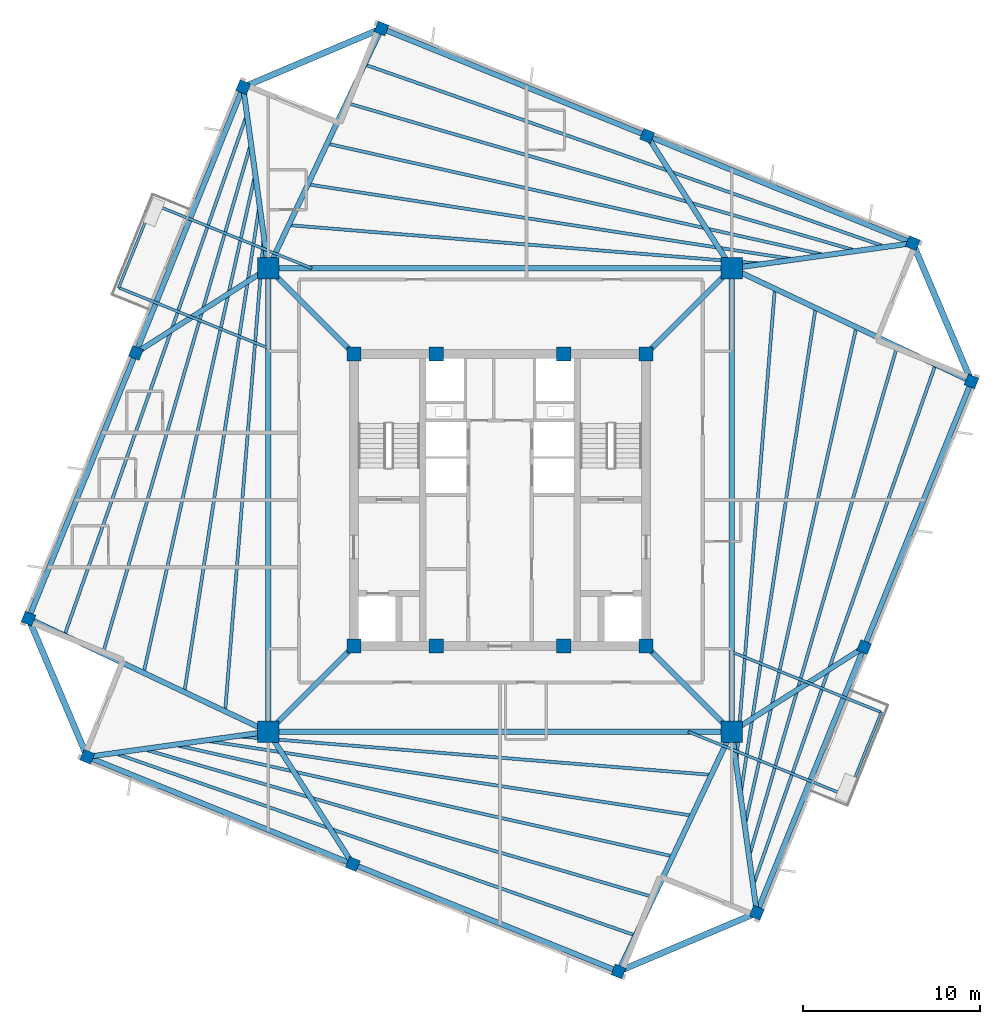
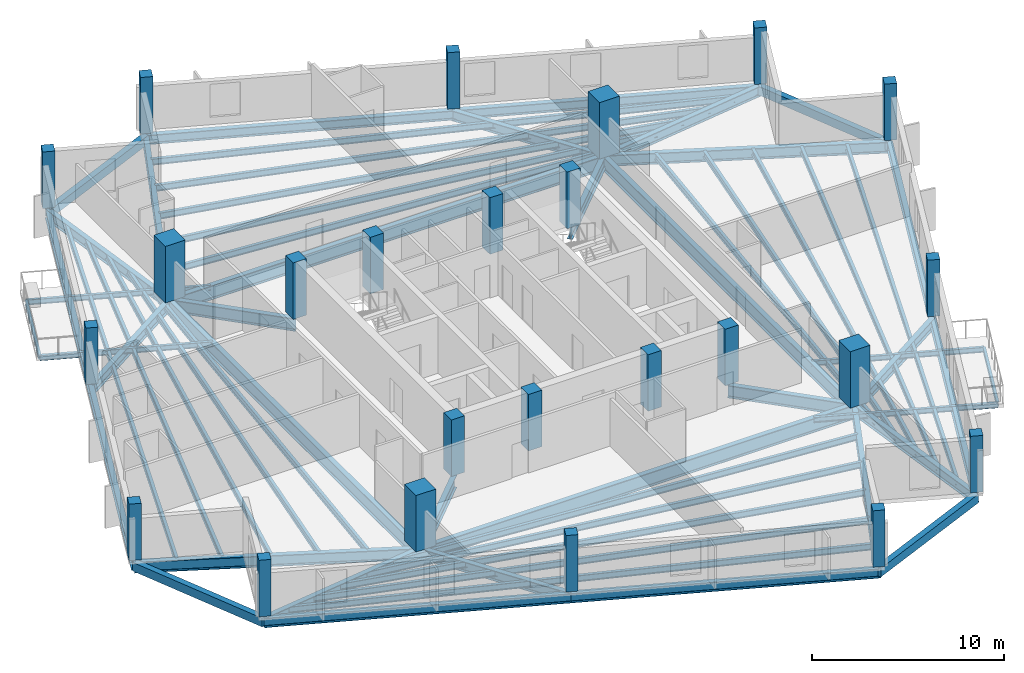
# One storey, part 1 of 8: 58 beams, 24 columns.
"""IFC4 building model written with IfcOpenShell, lengths in metres."""

import ifcopenshell
import ifcopenshell.guid

model = None  # the IFC model being written
_history = None  # IfcOwnerHistory: only IFC2X3 demands one
_inside = {}  # id of a spatial element -> (the spatial element, [elements in it])
_under = {}  # id of a project, library or spatial element -> (it, [spatial elements below it])
_declared = {}  # id of a project -> (the project, [libraries it declares])
_typed = {}  # id of a type object -> (the type object, [elements of that type])
_made_of = {}  # id of a material, layer set ... -> (it, [elements and type objects made of it])


def new_model(schema):
    """Start an empty IFC model of exactly this schema.

    Asked for "IFC4X3", IfcOpenShell would pick the latest addendum, in which some entities
    have other attributes; the version numbers below select the first issue.
    IFC2X3 requires an IfcOwnerHistory on every rooted entity: one is made here for all.
    """
    global model, _history
    if schema == "IFC4X3":
        model = ifcopenshell.file(schema_version=(4, 3, 0, 0))
    else:
        model = ifcopenshell.file(schema=schema)
    _inside.clear()
    _under.clear()
    _declared.clear()
    _typed.clear()
    _made_of.clear()
    _history = None
    if model.schema == "IFC2X3":
        org = make("IfcOrganization", Name="unknown")
        user = make(
            "IfcPersonAndOrganization",
            ThePerson=make("IfcPerson", FamilyName="unknown"),
            TheOrganization=org,
        )
        app = make(
            "IfcApplication",
            ApplicationDeveloper=org,
            Version="unknown",
            ApplicationFullName="unknown",
            ApplicationIdentifier="unknown",
        )
        _history = make(
            "IfcOwnerHistory",
            OwningUser=user,
            OwningApplication=app,
            ChangeAction="ADDED",
            CreationDate=0,
        )
    return model


def make(cls, **values):
    """One entity of the class cls with the attributes given. An attribute that is None is left unset."""
    return model.create_entity(
        cls, **{name: value for name, value in values.items() if value is not None}
    )


def rooted(cls, **values):
    """An entity with a GlobalId (a new one), such as an element, a storey or a relation."""
    return make(cls, GlobalId=ifcopenshell.guid.new(), OwnerHistory=_history, **values)


def si_unit(unit_type, name, prefix=None):
    """IfcSIUnit, for example si_unit("LENGTHUNIT", "METRE", prefix="MILLI")."""
    return make("IfcSIUnit", UnitType=unit_type, Prefix=prefix, Name=name)


def assignment(units):
    """IfcUnitAssignment: the units of a project."""
    return None if units is None else make("IfcUnitAssignment", Units=units)


def point(xyz):
    """IfcCartesianPoint."""
    return None if xyz is None else make("IfcCartesianPoint", Coordinates=xyz)


def direction(xyz):
    """IfcDirection."""
    return None if xyz is None else make("IfcDirection", DirectionRatios=xyz)


def frame(location, z_axis=None, x_axis=None):
    """IfcAxis2Placement3D, a coordinate frame: its origin and axes. An axis left out is left unset."""
    return make(
        "IfcAxis2Placement3D",
        Location=point(location),
        Axis=direction(z_axis),
        RefDirection=direction(x_axis),
    )


def frame_2d(location, x_axis=None):
    """IfcAxis2Placement2D, a coordinate frame in the plane: its origin and x axis."""
    return make(
        "IfcAxis2Placement2D", Location=point(location), RefDirection=direction(x_axis)
    )


def origin():
    """The frame at (0, 0, 0) with its axes left unset."""
    return frame((0.0, 0.0, 0.0))


def origin_2d():
    """The frame at (0, 0) in the plane with its x axis left unset."""
    return frame_2d((0.0, 0.0))


def place(relative_to, where):
    """IfcLocalPlacement: puts the frame where relative to a parent placement (None: the world)."""
    return make(
        "IfcLocalPlacement", PlacementRelTo=relative_to, RelativePlacement=where
    )


def context(
    kind, dimensions, precision=None, world=None, true_north=None, identifier=None
):
    """IfcGeometricRepresentationContext, for example the 3D "Model" context."""
    return make(
        "IfcGeometricRepresentationContext",
        ContextIdentifier=identifier,
        ContextType=kind,
        CoordinateSpaceDimension=dimensions,
        Precision=precision,
        WorldCoordinateSystem=world,
        TrueNorth=true_north,
    )


def subcontext(parent, identifier, kind, view, scale=None):
    """IfcGeometricRepresentationSubContext, for example "Body" below "Model"."""
    return make(
        "IfcGeometricRepresentationSubContext",
        ContextIdentifier=identifier,
        ContextType=kind,
        ParentContext=parent,
        TargetScale=scale,
        TargetView=view,
    )


def project(units=None, contexts=None):
    """IfcProject with its units and contexts."""
    return rooted(
        "IfcProject",
        Name="project",
        RepresentationContexts=contexts,
        UnitsInContext=assignment(units),
    )


def spatial(cls, under=None, at=None, **own):
    """A site, building, storey or space (cls), placed at a placement, below another one or the project."""
    s = rooted(cls, ObjectPlacement=at, **own)
    if under is not None:
        _under.setdefault(under.id(), (under, []))[1].append(s)
    return s


def profile(cls, at=None, kind="AREA", **sizes):
    """A parametric profile (cls). Its sizes go by their IFC names, for example OverallWidth=200.0."""
    return make(cls, ProfileType=kind, Position=at, **sizes)


def rectangle(**sizes):
    """IfcRectangleProfileDef."""
    return profile("IfcRectangleProfileDef", **sizes)


def i_section(**sizes):
    """IfcIShapeProfileDef."""
    return profile("IfcIShapeProfileDef", **sizes)


def extrude(swept, where, along, depth):
    """IfcExtrudedAreaSolid: the profile swept, set in the frame where, extruded along a direction by depth."""
    return make(
        "IfcExtrudedAreaSolid",
        SweptArea=swept,
        Position=where,
        ExtrudedDirection=direction(along),
        Depth=depth,
    )


def shape(context_of_items, identifier, shape_type, items):
    """IfcShapeRepresentation: the items that make up one representation, for example the "Body"."""
    return make(
        "IfcShapeRepresentation",
        ContextOfItems=context_of_items,
        RepresentationIdentifier=identifier,
        RepresentationType=shape_type,
        Items=items,
    )


def source(mapping_origin, context_of_items, identifier, shape_type, items):
    """IfcRepresentationMap: a shape defined once, which mapped items show again and again."""
    return make(
        "IfcRepresentationMap",
        MappingOrigin=mapping_origin,
        MappedRepresentation=shape(context_of_items, identifier, shape_type, items),
    )


def transform(
    local_origin,
    x_axis=None,
    y_axis=None,
    z_axis=None,
    scale=None,
    scale2=None,
    scale3=None,
    uniform=True,
):
    """IfcCartesianTransformationOperator3D, or its non-uniform kind. x_axis, y_axis, z_axis: its Axis1, 2, 3."""
    if uniform:
        return make(
            "IfcCartesianTransformationOperator3D",
            Axis1=direction(x_axis),
            Axis2=direction(y_axis),
            LocalOrigin=point(local_origin),
            Scale=scale,
            Axis3=direction(z_axis),
        )
    return make(
        "IfcCartesianTransformationOperator3DnonUniform",
        Axis1=direction(x_axis),
        Axis2=direction(y_axis),
        LocalOrigin=point(local_origin),
        Scale=scale,
        Axis3=direction(z_axis),
        Scale2=scale2,
        Scale3=scale3,
    )


def mapped(mapping_source, mapping_target):
    """IfcMappedItem: shows the shape of a source again, moved by a transform."""
    return make(
        "IfcMappedItem", MappingSource=mapping_source, MappingTarget=mapping_target
    )


def material(Name=None, Category=None):
    """IfcMaterial."""
    return make("IfcMaterial", Name=Name, Category=Category)


def material_profile(
    of_material, cross_section, Name=None, Category=None, Priority=None
):
    """IfcMaterialProfile: a cross section and its material."""
    return make(
        "IfcMaterialProfile",
        Name=Name,
        Material=of_material,
        Profile=cross_section,
        Priority=Priority,
        Category=Category,
    )


def profile_set(profiles, Name=None, composite=None):
    """IfcMaterialProfileSet."""
    return make(
        "IfcMaterialProfileSet",
        Name=Name,
        MaterialProfiles=profiles,
        CompositeProfile=composite,
    )


def made_of(thing, what):
    """Note that an element or type object is made of a material, layer set ...; save() writes the relation."""
    if what is not None:
        _made_of.setdefault(what.id(), (what, []))[1].append(thing)
    return thing


def type_object(cls, material=None, **own):
    """A type object (cls), such as IfcWallType, which elements share."""
    return made_of(rooted(cls, **own), material)


def element(
    cls,
    number,
    at=None,
    inside=None,
    cuts=None,
    type_object=None,
    material=None,
    context=None,
    identifier="Body",
    shape_type=None,
    held_by="IfcProductDefinitionShape",
    body=None,
    shapes=None,
    **own,
):
    """One element of the class cls, such as IfcWall. Its Tag is "e" and its number.

    at: its placement. inside: the storey or other place that contains it. cuts: it is an
    opening in that element (IfcRelVoidsElement). A single representation is given by context,
    identifier, shape_type and body (its items); several are given by shapes. held_by: the class
    of the entity that holds the representations. save() writes the other relations.
    """
    e = rooted(cls, Tag="e%d" % number, ObjectPlacement=at, **own)
    if body is not None:
        shapes = [shape(context, identifier, shape_type, body)]
    if shapes is not None:
        e.Representation = make(held_by, Representations=shapes)
    if inside is not None:
        _inside.setdefault(inside.id(), (inside, []))[1].append(e)
    if cuts is not None:
        rooted(
            "IfcRelVoidsElement", RelatingBuildingElement=cuts, RelatedOpeningElement=e
        )
    if type_object is not None:
        _typed.setdefault(type_object.id(), (type_object, []))[1].append(e)
    return made_of(e, material)


def aggregate(whole, parts):
    """IfcRelAggregates: a whole, such as a stair, and the parts it consists of."""
    return rooted("IfcRelAggregates", RelatingObject=whole, RelatedObjects=parts)


def save(model, path):
    """Write the relations noted so far, then the file.

    IfcRelAggregates (storeys below a building ...), IfcRelContainedInSpatialStructure (elements
    in a storey), IfcRelDefinesByType, IfcRelAssociatesMaterial and IfcRelDeclares: one each for
    every whole, place, type object, material and project.
    """
    for whole, parts in _under.values():
        aggregate(whole, parts)
    for where, things in _inside.values():
        rooted(
            "IfcRelContainedInSpatialStructure",
            RelatedElements=things,
            RelatingStructure=where,
        )
    for kind, things in _typed.values():
        rooted("IfcRelDefinesByType", RelatedObjects=things, RelatingType=kind)
    for what, things in _made_of.values():
        rooted("IfcRelAssociatesMaterial", RelatedObjects=things, RelatingMaterial=what)
    for by, libraries in _declared.values():
        rooted("IfcRelDeclares", RelatingContext=by, RelatedDefinitions=libraries)
    model.write(path)


model = new_model("IFC4")

# Units and contexts
model_context = context("Model", 3, precision=1e-05, world=origin(), true_north=direction((0.0, 1.0)))
body_context = subcontext(model_context, "Body", "Model", "MODEL_VIEW")
ifc_project = project(units=[si_unit("LENGTHUNIT", "METRE"), si_unit("AREAUNIT", "SQUARE_METRE"), si_unit("VOLUMEUNIT", "CUBIC_METRE"), si_unit("PLANEANGLEUNIT", "RADIAN"), si_unit("MASSUNIT", "GRAM", prefix="KILO"), si_unit("THERMODYNAMICTEMPERATUREUNIT", "KELVIN")], contexts=[model_context])

# Site, building, storey
site_placement = place(None, origin())
site = spatial("IfcSite", under=ifc_project, at=site_placement, CompositionType="ELEMENT")
building_placement = place(site_placement, origin())
building = spatial("IfcBuilding", under=site, at=building_placement, Name="Kosmvard Interchange Tower", CompositionType="ELEMENT")
storey_placement = place(building_placement, frame((0.0, 0.0, 294.0)))
storey = spatial("IfcBuildingStorey", under=building, at=storey_placement, Name="L72", CompositionType="ELEMENT", Elevation=294.0)

# Columns
ifc_material_1 = material(Name="Concrete C50/60", Category="concrete")
ifc_material_profile_1 = material_profile(ifc_material_1, rectangle(XDim=0.800048828125, YDim=0.800048828125, at=origin_2d()), Name="CP 800x800")
ifc_profile_set_1 = profile_set([ifc_material_profile_1], Name="Concrete C50/60")
column_type_1 = type_object("IfcColumnType", Name="Core Boundary Pilaster 800x800 C50/60", PredefinedType="PILASTER", material=ifc_profile_set_1)
shared_shape_1 = source(origin(), body_context, "Body", "SweptSolid", [
    extrude(rectangle(XDim=0.800048828125, YDim=0.800048828125, at=origin_2d()), origin(), (0.0, 0.0, 1.0), 3.60009765625),
])
for number, where, z_axis, x_axis, name in (
    (1, (-8.25, -8.25, 0.0), (0.0, 0.0, 1.0), (1.0, 0.0, 0.0), "L72 Core Pilaster CP1"),
    (2, (8.25, -8.25, 0.0), (0.0, 0.0, 1.0), (1.0, 0.0, 0.0), "L72 Core Pilaster CP2"),
    (3, (8.25, 8.25, 0.0), (0.0, 0.0, 1.0), (1.0, 0.0, 0.0), "L72 Core Pilaster CP3"),
    (4, (-8.25, 8.25, 0.0), (0.0, 0.0, 1.0), (1.0, 0.0, 0.0), "L72 Core Pilaster CP4"),
    (5, (-3.60009765625, -8.25, 0.0), (0.0, 0.0, 1.0), (1.0, 0.0, 0.0), "L72 Core Pilaster CP5"),
    (6, (3.60009765625, -8.25, 0.0), (0.0, 0.0, 1.0), (1.0, 0.0, 0.0), "L72 Core Pilaster CP6"),
    (7, (-3.60009765625, 8.25, 0.0), (0.0, 0.0, 1.0), (1.0, 0.0, 0.0), "L72 Core Pilaster CP7"),
    (8, (3.60009765625, 8.25, 0.0), (0.0, 0.0, 1.0), (1.0, 0.0, 0.0), "L72 Core Pilaster CP8"),
):
    element("IfcColumn", number, at=place(storey_placement, frame(where, z_axis=z_axis, x_axis=x_axis)), inside=storey, type_object=column_type_1, Name=name, PredefinedType="PILASTER", context=body_context, shape_type="MappedRepresentation", body=[
        mapped(shared_shape_1, transform((0.0, 0.0, 0.0), scale=1.0)),
    ])
ifc_material_profile_2 = material_profile(ifc_material_1, rectangle(XDim=1.199951171875, YDim=1.199951171875, at=origin_2d()), Name="MC 1200x1200")
ifc_profile_set_2 = profile_set([ifc_material_profile_2], Name="Concrete C50/60")
column_type_2 = type_object("IfcColumnType", Name="Composite Mega-Column 1200x1200 C50/60", PredefinedType="COLUMN", material=ifc_profile_set_2)
shared_shape_2 = source(origin(), body_context, "Body", "SweptSolid", [
    extrude(rectangle(XDim=1.199951171875, YDim=1.199951171875, at=origin_2d()), origin(), (0.0, 0.0, 1.0), 3.60009765625),
])
for number, where, z_axis, x_axis, name in (
    (9, (-13.0810546875, -13.0810546875, 0.0), (0.0, 0.0, 1.0), (1.0, 0.0, 0.0), "L72 Corner Mega-Column MC1"),
    (10, (13.0810546875, -13.0810546875, 0.0), (0.0, 0.0, 1.0), (1.0, 0.0, 0.0), "L72 Corner Mega-Column MC2"),
    (11, (13.0810546875, 13.0810546875, 0.0), (0.0, 0.0, 1.0), (1.0, 0.0, 0.0), "L72 Corner Mega-Column MC3"),
    (12, (-13.0810546875, 13.0810546875, 0.0), (0.0, 0.0, 1.0), (1.0, 0.0, 0.0), "L72 Corner Mega-Column MC4"),
):
    element("IfcColumn", number, at=place(storey_placement, frame(where, z_axis=z_axis, x_axis=x_axis)), inside=storey, type_object=column_type_2, Name=name, PredefinedType="COLUMN", context=body_context, shape_type="MappedRepresentation", body=[
        mapped(shared_shape_2, transform((0.0, 0.0, 0.0), scale=1.0)),
    ])
ifc_material_profile_3 = material_profile(ifc_material_1, rectangle(XDim=0.64990234375, YDim=0.64990234375, at=origin_2d()), Name="TC 650x650")
ifc_profile_set_3 = profile_set([ifc_material_profile_3], Name="Concrete C50/60")
column_type_3 = type_object("IfcColumnType", Name="Zone 5 Perimeter Pier Column 650x650 C50/60", PredefinedType="COLUMN", material=ifc_profile_set_3)
shared_shape_3 = source(origin(), body_context, "Body", "SweptSolid", [
    extrude(rectangle(XDim=0.64990234375, YDim=0.64990234375, at=origin_2d()), origin(), (0.0, 0.0, 1.0), 3.60009765625),
])
for number, where, z_axis, x_axis, name in (
    (13, (14.5009765625, -23.30419921875, 0.0), (0.0, 0.0, 1.0), (0.374606593416, 0.927183854567, 0.0), "L72 Perimeter Pier Column TC-S1"),
    (14, (20.560302734375, -8.306884765625, 0.0), (0.0, 0.0, 1.0), (0.374606593416, 0.927183854567, 0.0), "L72 Perimeter Pier Column TC-S2"),
    (15, (26.61962890625, 6.690185546875, 0.0), (0.0, 0.0, 1.0), (0.374606593416, 0.927183854567, 0.0), "L72 Perimeter Pier Column TC-S3"),
    (16, (23.30419921875, 14.5009765625, 0.0), (0.0, 0.0, 1.0), (0.374606593416, 0.927183854567, 0.0), "L72 Perimeter Pier Column TC-E1"),
    (17, (8.306884765625, 20.560302734375, 0.0), (0.0, 0.0, 1.0), (0.374606593416, 0.927183854567, 0.0), "L72 Perimeter Pier Column TC-E2"),
    (18, (-6.690185546875, 26.61962890625, 0.0), (0.0, 0.0, 1.0), (0.374606593416, 0.927183854567, 0.0), "L72 Perimeter Pier Column TC-E3"),
    (19, (-14.5009765625, 23.30419921875, 0.0), (0.0, 0.0, 1.0), (0.374606593416, 0.927183854567, 0.0), "L72 Perimeter Pier Column TC-N1"),
    (20, (-20.560302734375, 8.306884765625, 0.0), (0.0, 0.0, 1.0), (0.374606593416, 0.927183854567, 0.0), "L72 Perimeter Pier Column TC-N2"),
    (21, (-26.61962890625, -6.690185546875, 0.0), (0.0, 0.0, 1.0), (0.374606593416, 0.927183854567, 0.0), "L72 Perimeter Pier Column TC-N3"),
    (22, (-23.30419921875, -14.5009765625, 0.0), (0.0, 0.0, 1.0), (0.374606593416, 0.927183854567, 0.0), "L72 Perimeter Pier Column TC-W1"),
    (23, (-8.306884765625, -20.560302734375, 0.0), (0.0, 0.0, 1.0), (0.374606593416, 0.927183854567, 0.0), "L72 Perimeter Pier Column TC-W2"),
    (24, (6.690185546875, -26.61962890625, 0.0), (0.0, 0.0, 1.0), (0.374606593416, 0.927183854567, 0.0), "L72 Perimeter Pier Column TC-W3"),
):
    element("IfcColumn", number, at=place(storey_placement, frame(where, z_axis=z_axis, x_axis=x_axis)), inside=storey, type_object=column_type_3, Name=name, PredefinedType="COLUMN", context=body_context, shape_type="MappedRepresentation", body=[
        mapped(shared_shape_3, transform((0.0, 0.0, 0.0), scale=1.0)),
    ])

# Beams
ifc_material_2 = material(Name="Steel S355", Category="steel")
ifc_material_profile_4 = material_profile(ifc_material_2, i_section(OverallWidth=0.14990234375, OverallDepth=0.300048828125, WebThickness=0.007080078125, FlangeThickness=0.0107421875, FilletRadius=0.014892578125, at=origin_2d()), Name="IPE 300")
ifc_profile_set_4 = profile_set([ifc_material_profile_4], Name="Steel S355")
beam_type_1 = type_object("IfcBeamType", Name="Balcony Edge Header Joist IPE 300 S355", PredefinedType="JOIST", material=ifc_profile_set_4)
shared_shape_4 = source(origin(), body_context, "Body", "SweptSolid", [
    extrude(i_section(OverallWidth=0.14990234375, OverallDepth=0.300048828125, WebThickness=0.007080078125, FlangeThickness=0.0107421875, FilletRadius=0.014892578125, at=origin_2d()), origin(), (0.0, 0.0, 1.0), 5.099853515625),
])
for number, where, z_axis, x_axis, name in (
    (25, (-19.61669921875, 16.715576171875, -0.39990234375), (-0.374599188035, -0.9271868465, 0.0), (0.9271868465, -0.374599188035, 0.0), "BM-L72-BJH1"),
    (26, (19.61669921875, -16.715576171875, -0.39990234375), (0.374599188035, 0.9271868465, 0.0), (-0.9271868465, 0.374599188035, 0.0), "BM-L72-BJH2"),
):
    element("IfcBeam", number, at=place(storey_placement, frame(where, z_axis=z_axis, x_axis=x_axis)), inside=storey, type_object=beam_type_1, Name=name, PredefinedType="JOIST", context=body_context, shape_type="MappedRepresentation", body=[
        mapped(shared_shape_4, transform((0.0, 0.0, 0.0), scale=1.0)),
    ])
ifc_material_profile_5 = material_profile(ifc_material_2, i_section(OverallWidth=0.300048828125, OverallDepth=0.800048828125, WebThickness=0.017578125, FlangeThickness=0.032958984375, FilletRadius=0.027099609375, at=origin_2d()), Name="HEB 800")
ifc_profile_set_5 = profile_set([ifc_material_profile_5], Name="Steel S355")
beam_type_2 = type_object("IfcBeamType", Name="Primary Mega-Frame Girder HEB 800 S355", PredefinedType="BEAM", material=ifc_profile_set_5)
shared_shape_5 = source(origin(), body_context, "Body", "SweptSolid", [
    extrude(i_section(OverallWidth=0.300048828125, OverallDepth=0.800048828125, WebThickness=0.017578125, FlangeThickness=0.032958984375, FilletRadius=0.027099609375, at=origin_2d()), origin(), (0.0, 0.0, 1.0), 6.83203125),
])
for number, where, z_axis, x_axis, name in (
    (27, (-8.25, -8.25, -0.64990234375), (-0.707106781187, -0.707106781187, 0.0), (0.707106781187, -0.707106781187, 0.0), "L72 Radial Mega-Frame Girder 1"),
    (28, (8.25, -8.25, -0.64990234375), (0.707106781187, -0.707106781187, 0.0), (0.707106781187, 0.707106781187, 0.0), "L72 Radial Mega-Frame Girder 2"),
    (29, (8.25, 8.25, -0.64990234375), (0.707106781187, 0.707106781187, 0.0), (-0.707106781187, 0.707106781187, 0.0), "L72 Radial Mega-Frame Girder 3"),
    (30, (-8.25, 8.25, -0.64990234375), (-0.707106781187, 0.707106781187, 0.0), (-0.707106781187, -0.707106781187, 0.0), "L72 Radial Mega-Frame Girder 4"),
):
    element("IfcBeam", number, at=place(storey_placement, frame(where, z_axis=z_axis, x_axis=x_axis)), inside=storey, type_object=beam_type_2, Name=name, PredefinedType="BEAM", context=body_context, shape_type="MappedRepresentation", body=[
        mapped(shared_shape_5, transform((0.0, 0.0, 0.0), scale=1.0)),
    ])
ifc_material_profile_6 = material_profile(ifc_material_2, i_section(OverallWidth=0.300048828125, OverallDepth=0.89990234375, WebThickness=0.0185546875, FlangeThickness=0.034912109375, FilletRadius=0.030029296875, at=origin_2d()), Name="HEB 900")
ifc_profile_set_6 = profile_set([ifc_material_profile_6], Name="Steel S355")
beam_type_3 = type_object("IfcBeamType", Name="Mega-Column Ring Girder HEB 900 S355", PredefinedType="BEAM", material=ifc_profile_set_6)
shared_shape_6 = source(origin(), body_context, "Body", "SweptSolid", [
    extrude(i_section(OverallWidth=0.300048828125, OverallDepth=0.89990234375, WebThickness=0.0185546875, FlangeThickness=0.034912109375, FilletRadius=0.030029296875, at=origin_2d()), origin(), (0.0, 0.0, 1.0), 26.162109375),
])
for number, where, z_axis, x_axis, name in (
    (31, (-13.0810546875, -13.0810546875, -0.699951171875), (1.0, 0.0, 0.0), (0.0, 1.0, 0.0), "L72 Mega-Column Ring Girder 1"),
    (32, (13.0810546875, -13.0810546875, -0.699951171875), (0.0, 1.0, 0.0), (-1.0, 0.0, 0.0), "L72 Mega-Column Ring Girder 2"),
    (33, (13.0810546875, 13.0810546875, -0.699951171875), (-1.0, 0.0, 0.0), (0.0, -1.0, 0.0), "L72 Mega-Column Ring Girder 3"),
    (34, (-13.0810546875, 13.0810546875, -0.699951171875), (0.0, -1.0, 0.0), (1.0, 0.0, 0.0), "L72 Mega-Column Ring Girder 4"),
):
    element("IfcBeam", number, at=place(storey_placement, frame(where, z_axis=z_axis, x_axis=x_axis)), inside=storey, type_object=beam_type_3, Name=name, PredefinedType="BEAM", context=body_context, shape_type="MappedRepresentation", body=[
        mapped(shared_shape_6, transform((0.0, 0.0, 0.0), scale=1.0)),
    ])
ifc_material_profile_7 = material_profile(ifc_material_2, i_section(OverallWidth=0.300048828125, OverallDepth=0.60009765625, WebThickness=0.015380859375, FlangeThickness=0.030029296875, FilletRadius=0.027099609375, at=origin_2d()), Name="HEB 600")
ifc_profile_set_7 = profile_set([ifc_material_profile_7], Name="Steel S355")
beam_type_4 = type_object("IfcBeamType", Name="Perimeter Tie Girder HEB 600 S355", PredefinedType="BEAM", material=ifc_profile_set_7)
shared_shape_7 = source(origin(), body_context, "Body", "SweptSolid", [
    extrude(i_section(OverallWidth=0.300048828125, OverallDepth=0.60009765625, WebThickness=0.015380859375, FlangeThickness=0.030029296875, FilletRadius=0.027099609375, at=origin_2d()), origin(), (0.0, 0.0, 1.0), 16.175048828125),
])
for number, where, z_axis, x_axis, name in (
    (35, (14.5009765625, -23.30419921875, -0.550048828125), (0.374607540279, 0.927183472009, 0.0), (-0.927183472009, 0.374607540279, 0.0), "BM-L72-PR01"),
    (36, (23.30419921875, 14.5009765625, -0.550048828125), (-0.927183472009, 0.374607540279, 0.0), (-0.374607540279, -0.927183472009, 0.0), "BM-L72-PR04"),
    (37, (-14.5009765625, 23.30419921875, -0.550048828125), (-0.374607540279, -0.927183472009, 0.0), (0.927183472009, -0.374607540279, 0.0), "BM-L72-PR07"),
    (38, (-23.30419921875, -14.5009765625, -0.550048828125), (0.927183472009, -0.374607540279, 0.0), (0.374607540279, 0.927183472009, 0.0), "BM-L72-PR10"),
):
    element("IfcBeam", number, at=place(storey_placement, frame(where, z_axis=z_axis, x_axis=x_axis)), inside=storey, type_object=beam_type_4, Name=name, PredefinedType="BEAM", context=body_context, shape_type="MappedRepresentation", body=[
        mapped(shared_shape_7, transform((0.0, 0.0, 0.0), scale=1.0)),
    ])
ifc_material_profile_8 = material_profile(ifc_material_2, i_section(OverallWidth=0.300048828125, OverallDepth=0.64990234375, WebThickness=0.01611328125, FlangeThickness=0.031005859375, FilletRadius=0.027099609375, at=origin_2d()), Name="HEB 650")
ifc_profile_set_8 = profile_set([ifc_material_profile_8], Name="Steel S355")
beam_type_5 = type_object("IfcBeamType", Name="Primary Floor Girder HEB 650 S355", PredefinedType="BEAM", material=ifc_profile_set_8)
shared_shape_8 = source(origin(), body_context, "Body", "SweptSolid", [
    extrude(i_section(OverallWidth=0.300048828125, OverallDepth=0.64990234375, WebThickness=0.01611328125, FlangeThickness=0.031005859375, FilletRadius=0.027099609375, at=origin_2d()), origin(), (0.0, 0.0, 1.0), 10.3212890625),
])
for number, where, z_axis, x_axis, name in (
    (39, (13.0810546875, -13.0810546875, -0.574951171875), (0.137572239014, -0.990491735984, 0.0), (0.990491735984, 0.137572239014, 0.0), "BM-L72-RD01"),
    (40, (13.0810546875, 13.0810546875, -0.574951171875), (0.990491735984, 0.137572239014, 0.0), (-0.137572239014, 0.990491735984, 0.0), "BM-L72-RD04"),
    (41, (-13.0810546875, 13.0810546875, -0.574951171875), (-0.137572239014, 0.990491735984, 0.0), (-0.990491735984, -0.137572239014, 0.0), "BM-L72-RD07"),
    (42, (-13.0810546875, -13.0810546875, -0.574951171875), (-0.990491735984, -0.137572239014, 0.0), (0.137572239014, -0.990491735984, 0.0), "BM-L72-RD10"),
):
    element("IfcBeam", number, at=place(storey_placement, frame(where, z_axis=z_axis, x_axis=x_axis)), inside=storey, type_object=beam_type_5, Name=name, PredefinedType="BEAM", context=body_context, shape_type="MappedRepresentation", body=[
        mapped(shared_shape_8, transform((0.0, 0.0, 0.0), scale=1.0)),
    ])
shared_shape_9 = source(origin(), body_context, "Body", "SweptSolid", [
    extrude(i_section(OverallWidth=0.300048828125, OverallDepth=0.60009765625, WebThickness=0.015380859375, FlangeThickness=0.030029296875, FilletRadius=0.027099609375, at=origin_2d()), origin(), (0.0, 0.0, 1.0), 16.1748046875),
])
for number, where, z_axis, x_axis, name in (
    (43, (20.560302734375, -8.306884765625, -0.550048828125), (0.374612782798, 0.92718135387, 0.0), (-0.92718135387, 0.374612782798, 0.0), "BM-L72-PR02"),
    (44, (8.306884765625, 20.560302734375, -0.550048828125), (-0.92718135387, 0.374612782798, 0.0), (-0.374612782798, -0.92718135387, 0.0), "BM-L72-PR05"),
    (45, (-20.560302734375, 8.306884765625, -0.550048828125), (-0.374612782798, -0.92718135387, 0.0), (0.92718135387, -0.374612782798, 0.0), "BM-L72-PR08"),
    (46, (-8.306884765625, -20.560302734375, -0.550048828125), (0.92718135387, -0.374612782798, 0.0), (0.374612782798, 0.92718135387, 0.0), "BM-L72-PR11"),
):
    element("IfcBeam", number, at=place(storey_placement, frame(where, z_axis=z_axis, x_axis=x_axis)), inside=storey, type_object=beam_type_4, Name=name, PredefinedType="BEAM", context=body_context, shape_type="MappedRepresentation", body=[
        mapped(shared_shape_9, transform((0.0, 0.0, 0.0), scale=1.0)),
    ])
shared_shape_10 = source(origin(), body_context, "Body", "SweptSolid", [
    extrude(i_section(OverallWidth=0.300048828125, OverallDepth=0.64990234375, WebThickness=0.01611328125, FlangeThickness=0.031005859375, FilletRadius=0.027099609375, at=origin_2d()), origin(), (0.0, 0.0, 1.0), 8.873046875),
])
for number, where, z_axis, x_axis, name in (
    (47, (13.0810546875, -13.0810546875, -0.574951171875), (0.842912916934, 0.538050011119, 0.0), (-0.538050011119, 0.842912916934, 0.0), "BM-L72-RD02"),
    (48, (13.0810546875, 13.0810546875, -0.574951171875), (-0.538050011119, 0.842912916934, 0.0), (-0.842912916934, -0.538050011119, 0.0), "BM-L72-RD05"),
    (49, (-13.0810546875, 13.0810546875, -0.574951171875), (-0.842912916934, -0.538050011119, 0.0), (0.538050011119, -0.842912916934, 0.0), "BM-L72-RD08"),
    (50, (-13.0810546875, -13.0810546875, -0.574951171875), (0.538050011119, -0.842912916934, 0.0), (0.842912916934, 0.538050011119, 0.0), "BM-L72-RD11"),
):
    element("IfcBeam", number, at=place(storey_placement, frame(where, z_axis=z_axis, x_axis=x_axis)), inside=storey, type_object=beam_type_5, Name=name, PredefinedType="BEAM", context=body_context, shape_type="MappedRepresentation", body=[
        mapped(shared_shape_10, transform((0.0, 0.0, 0.0), scale=1.0)),
    ])
ifc_material_3 = material(Name="Precast concrete C45/55", Category="concrete")
ifc_material_profile_9 = material_profile(ifc_material_3, rectangle(XDim=0.35009765625, YDim=0.550048828125, at=origin_2d()), Name="SL 350x550")
ifc_profile_set_9 = profile_set([ifc_material_profile_9], Name="Precast concrete C45/55")
beam_type_6 = type_object("IfcBeamType", Name="Precast Spandrel Lintel 350x550 C45/55", PredefinedType="LINTEL", material=ifc_profile_set_9)
shared_shape_11 = source(origin(), body_context, "Body", "SweptSolid", [
    extrude(rectangle(XDim=0.35009765625, YDim=0.550048828125, at=origin_2d()), origin(), (0.0, 0.0, 1.0), 8.4853515625),
])
for number, where, z_axis, x_axis, name in (
    (51, (26.61962890625, 6.690185546875, -0.52490234375), (-0.390725696857, 0.920507159025, 0.0), (-0.920507159025, -0.390725696857, 0.0), "BM-L72-SL1"),
    (52, (-6.690185546875, 26.61962890625, -0.52490234375), (-0.920507159025, -0.390725696857, 0.0), (0.390725696857, -0.920507159025, 0.0), "BM-L72-SL2"),
    (53, (-26.61962890625, -6.690185546875, -0.52490234375), (0.390725696857, -0.920507159025, 0.0), (0.920507159025, 0.390725696857, 0.0), "BM-L72-SL3"),
    (54, (6.690185546875, -26.61962890625, -0.52490234375), (0.920507159025, 0.390725696857, 0.0), (-0.390725696857, 0.920507159025, 0.0), "BM-L72-SL4"),
):
    element("IfcBeam", number, at=place(storey_placement, frame(where, z_axis=z_axis, x_axis=x_axis)), inside=storey, type_object=beam_type_6, Name=name, PredefinedType="LINTEL", context=body_context, shape_type="MappedRepresentation", body=[
        mapped(shared_shape_11, transform((0.0, 0.0, 0.0), scale=1.0)),
    ])
ifc_material_profile_10 = material_profile(ifc_material_2, i_section(OverallWidth=0.300048828125, OverallDepth=0.699951171875, WebThickness=0.01708984375, FlangeThickness=0.031982421875, FilletRadius=0.027099609375, at=origin_2d()), Name="HEB 700")
ifc_profile_set_10 = profile_set([ifc_material_profile_10], Name="Steel S355")
beam_type_7 = type_object("IfcBeamType", Name="Primary Floor Girder HEB 700 S355", PredefinedType="BEAM", material=ifc_profile_set_10)
shared_shape_12 = source(origin(), body_context, "Body", "SweptSolid", [
    extrude(i_section(OverallWidth=0.300048828125, OverallDepth=0.699951171875, WebThickness=0.01708984375, FlangeThickness=0.031982421875, FilletRadius=0.027099609375, at=origin_2d()), origin(), (0.0, 0.0, 1.0), 14.97119140625),
])
for number, where, z_axis, x_axis, name in (
    (55, (13.0810546875, 13.0810546875, -0.60009765625), (0.904309155001, -0.426878146761, 0.0), (0.426878146761, 0.904309155001, 0.0), "BM-L72-RD03"),
    (56, (-13.0810546875, 13.0810546875, -0.60009765625), (0.426878146761, 0.904309155001, 0.0), (-0.904309155001, 0.426878146761, 0.0), "BM-L72-RD06"),
    (57, (-13.0810546875, -13.0810546875, -0.60009765625), (-0.904309155001, 0.426878146761, 0.0), (-0.426878146761, -0.904309155001, 0.0), "BM-L72-RD09"),
    (58, (13.0810546875, -13.0810546875, -0.60009765625), (-0.426878146761, -0.904309155001, 0.0), (0.904309155001, -0.426878146761, 0.0), "BM-L72-RD12"),
):
    element("IfcBeam", number, at=place(storey_placement, frame(where, z_axis=z_axis, x_axis=x_axis)), inside=storey, type_object=beam_type_7, Name=name, PredefinedType="BEAM", context=body_context, shape_type="MappedRepresentation", body=[
        mapped(shared_shape_12, transform((0.0, 0.0, 0.0), scale=1.0)),
    ])
ifc_material_profile_11 = material_profile(ifc_material_2, i_section(OverallWidth=0.179931640625, OverallDepth=0.39990234375, WebThickness=0.008544921875, FlangeThickness=0.013427734375, FilletRadius=0.02099609375, at=origin_2d()), Name="IPE 400")
ifc_profile_set_11 = profile_set([ifc_material_profile_11], Name="Steel S355")
beam_type_8 = type_object("IfcBeamType", Name="Upper-Zone Floor Joist IPE 400 S355", PredefinedType="JOIST", material=ifc_profile_set_11)
shared_shape_13 = source(origin(), body_context, "Body", "SweptSolid", [
    extrude(i_section(OverallWidth=0.179931640625, OverallDepth=0.39990234375, WebThickness=0.008544921875, FlangeThickness=0.013427734375, FilletRadius=0.02099609375, at=origin_2d()), origin(), (0.0, 0.0, 1.0), 26.780029296875),
])
for number, where, z_axis, x_axis, name in (
    (59, (13.343017578125, -14.84130859375, -0.449951171875), (0.080972773487, 0.996716313679, 0.0), (-0.996716313679, 0.080972773487, 0.0), "BM-L72-FJ01"),
    (60, (14.84130859375, 13.343017578125, -0.449951171875), (-0.996716313679, 0.080972773487, 0.0), (-0.080972773487, -0.996716313679, 0.0), "BM-L72-FJ06"),
    (61, (-13.343017578125, 14.84130859375, -0.449951171875), (-0.080972773487, -0.996716313679, 0.0), (0.996716313679, -0.080972773487, 0.0), "BM-L72-FJ11"),
    (62, (-14.84130859375, -13.343017578125, -0.449951171875), (0.996716313679, -0.080972773487, 0.0), (0.080972773487, 0.996716313679, 0.0), "BM-L72-FJ16"),
):
    element("IfcBeam", number, at=place(storey_placement, frame(where, z_axis=z_axis, x_axis=x_axis)), inside=storey, type_object=beam_type_8, Name=name, PredefinedType="JOIST", context=body_context, shape_type="MappedRepresentation", body=[
        mapped(shared_shape_13, transform((0.0, 0.0, 0.0), scale=1.0)),
    ])
shared_shape_14 = source(origin(), body_context, "Body", "SweptSolid", [
    extrude(i_section(OverallWidth=0.179931640625, OverallDepth=0.39990234375, WebThickness=0.008544921875, FlangeThickness=0.013427734375, FilletRadius=0.02099609375, at=origin_2d()), origin(), (0.0, 0.0, 1.0), 27.66845703125),
])
for number, where, z_axis, x_axis, name in (
    (63, (13.590087890625, -16.580078125, -0.449951171875), (0.152421855854, 0.988315525456, 0.0), (-0.988315525456, 0.152421855854, 0.0), "BM-L72-FJ02"),
    (64, (16.580078125, 13.590087890625, -0.449951171875), (-0.988315525456, 0.152421855854, 0.0), (-0.152421855854, -0.988315525456, 0.0), "BM-L72-FJ07"),
    (65, (-13.590087890625, 16.580078125, -0.449951171875), (-0.152421855854, -0.988315525456, 0.0), (0.988315525456, -0.152421855854, 0.0), "BM-L72-FJ12"),
    (66, (-16.580078125, -13.590087890625, -0.449951171875), (0.988315525456, -0.152421855854, 0.0), (0.152421855854, 0.988315525456, 0.0), "BM-L72-FJ17"),
):
    element("IfcBeam", number, at=place(storey_placement, frame(where, z_axis=z_axis, x_axis=x_axis)), inside=storey, type_object=beam_type_8, Name=name, PredefinedType="JOIST", context=body_context, shape_type="MappedRepresentation", body=[
        mapped(shared_shape_14, transform((0.0, 0.0, 0.0), scale=1.0)),
    ])
shared_shape_15 = source(origin(), body_context, "Body", "SweptSolid", [
    extrude(i_section(OverallWidth=0.179931640625, OverallDepth=0.39990234375, WebThickness=0.008544921875, FlangeThickness=0.013427734375, FilletRadius=0.02099609375, at=origin_2d()), origin(), (0.0, 0.0, 1.0), 28.691162109375),
])
for number, where, z_axis, x_axis, name in (
    (67, (13.8369140625, -18.31884765625, -0.449951171875), (0.218415018158, 0.975855972899, 0.0), (-0.975855972899, 0.218415018158, 0.0), "BM-L72-FJ03"),
    (68, (18.31884765625, 13.8369140625, -0.449951171875), (-0.975855972899, 0.218415018158, 0.0), (-0.218415018158, -0.975855972899, 0.0), "BM-L72-FJ08"),
    (69, (-13.8369140625, 18.31884765625, -0.449951171875), (-0.218415018158, -0.975855972899, 0.0), (0.975855972899, -0.218415018158, 0.0), "BM-L72-FJ13"),
    (70, (-18.31884765625, -13.8369140625, -0.449951171875), (0.975855972899, -0.218415018158, 0.0), (0.218415018158, 0.975855972899, 0.0), "BM-L72-FJ18"),
):
    element("IfcBeam", number, at=place(storey_placement, frame(where, z_axis=z_axis, x_axis=x_axis)), inside=storey, type_object=beam_type_8, Name=name, PredefinedType="JOIST", context=body_context, shape_type="MappedRepresentation", body=[
        mapped(shared_shape_15, transform((0.0, 0.0, 0.0), scale=1.0)),
    ])
shared_shape_16 = source(origin(), body_context, "Body", "SweptSolid", [
    extrude(i_section(OverallWidth=0.179931640625, OverallDepth=0.39990234375, WebThickness=0.008544921875, FlangeThickness=0.013427734375, FilletRadius=0.02099609375, at=origin_2d()), origin(), (0.0, 0.0, 1.0), 29.83544921875),
])
for number, where, z_axis, x_axis, name in (
    (71, (14.0830078125, -20.05810546875, -0.449951171875), (0.27877586881, 0.960356191717, 0.0), (-0.960356191717, 0.27877586881, 0.0), "BM-L72-FJ04"),
    (72, (20.05810546875, 14.0830078125, -0.449951171875), (-0.960356191717, 0.27877586881, 0.0), (-0.27877586881, -0.960356191717, 0.0), "BM-L72-FJ09"),
    (73, (-14.0830078125, 20.05810546875, -0.449951171875), (-0.27877586881, -0.960356191717, 0.0), (0.960356191717, -0.27877586881, 0.0), "BM-L72-FJ14"),
    (74, (-20.05810546875, -14.0830078125, -0.449951171875), (0.960356191717, -0.27877586881, 0.0), (0.27877586881, 0.960356191717, 0.0), "BM-L72-FJ19"),
):
    element("IfcBeam", number, at=place(storey_placement, frame(where, z_axis=z_axis, x_axis=x_axis)), inside=storey, type_object=beam_type_8, Name=name, PredefinedType="JOIST", context=body_context, shape_type="MappedRepresentation", body=[
        mapped(shared_shape_16, transform((0.0, 0.0, 0.0), scale=1.0)),
    ])
shared_shape_17 = source(origin(), body_context, "Body", "SweptSolid", [
    extrude(i_section(OverallWidth=0.179931640625, OverallDepth=0.39990234375, WebThickness=0.008544921875, FlangeThickness=0.013427734375, FilletRadius=0.02099609375, at=origin_2d()), origin(), (0.0, 0.0, 1.0), 31.0107421875),
])
for number, where, z_axis, x_axis, name in (
    (75, (14.314453125, -21.695068359375, -0.449951171875), (0.330459834828, 0.943820055713, 0.0), (-0.943820055713, 0.330459834828, 0.0), "BM-L72-FJ05"),
    (76, (21.695068359375, 14.314453125, -0.449951171875), (-0.943820055713, 0.330459834828, 0.0), (-0.330459834828, -0.943820055713, 0.0), "BM-L72-FJ10"),
    (77, (-14.314453125, 21.695068359375, -0.449951171875), (-0.330459834828, -0.943820055713, 0.0), (0.943820055713, -0.330459834828, 0.0), "BM-L72-FJ15"),
    (78, (-21.695068359375, -14.314453125, -0.449951171875), (0.943820055713, -0.330459834828, 0.0), (0.330459834828, 0.943820055713, 0.0), "BM-L72-FJ20"),
):
    element("IfcBeam", number, at=place(storey_placement, frame(where, z_axis=z_axis, x_axis=x_axis)), inside=storey, type_object=beam_type_8, Name=name, PredefinedType="JOIST", context=body_context, shape_type="MappedRepresentation", body=[
        mapped(shared_shape_17, transform((0.0, 0.0, 0.0), scale=1.0)),
    ])
ifc_material_profile_12 = material_profile(ifc_material_2, i_section(OverallWidth=0.159912109375, OverallDepth=0.330078125, WebThickness=0.007568359375, FlangeThickness=0.011474609375, FilletRadius=0.01806640625, at=origin_2d()), Name="IPE 330")
ifc_profile_set_12 = profile_set([ifc_material_profile_12], Name="Steel S355")
beam_type_9 = type_object("IfcBeamType", Name="Balcony Cantilever Joist IPE 330 S355", PredefinedType="JOIST", material=ifc_profile_set_12)
shared_shape_18 = source(origin(), body_context, "Body", "SweptSolid", [
    extrude(i_section(OverallWidth=0.159912109375, OverallDepth=0.330078125, WebThickness=0.007568359375, FlangeThickness=0.011474609375, FilletRadius=0.01806640625, at=origin_2d()), origin(), (0.0, 0.0, 1.0), 9.702880859375),
])
for number, where, z_axis, x_axis, name in (
    (79, (-10.620361328125, 13.0810546875, -0.4150390625), (-0.927192265168, 0.374585775775, 0.0), (-0.374585775775, -0.927192265168, 0.0), "BM-L72-BJ1"),
    (80, (10.620361328125, -13.0810546875, -0.4150390625), (0.927192265168, -0.374585775775, 0.0), (0.374585775775, 0.927192265168, 0.0), "BM-L72-BJ2"),
):
    element("IfcBeam", number, at=place(storey_placement, frame(where, z_axis=z_axis, x_axis=x_axis)), inside=storey, type_object=beam_type_9, Name=name, PredefinedType="JOIST", context=body_context, shape_type="MappedRepresentation", body=[
        mapped(shared_shape_18, transform((0.0, 0.0, 0.0), scale=1.0)),
    ])
shared_shape_19 = source(origin(), body_context, "Body", "SweptSolid", [
    extrude(i_section(OverallWidth=0.159912109375, OverallDepth=0.330078125, WebThickness=0.007568359375, FlangeThickness=0.011474609375, FilletRadius=0.01806640625, at=origin_2d()), origin(), (0.0, 0.0, 1.0), 9.109375),
])
for number, where, z_axis, x_axis, name in (
    (81, (-13.0810546875, 8.57470703125, -0.4150390625), (-0.927186528809, 0.374599974365, 0.0), (-0.374599974365, -0.927186528809, 0.0), "BM-L72-BJB1"),
    (82, (13.0810546875, -8.57470703125, -0.4150390625), (0.927186528809, -0.374599974365, 0.0), (0.374599974365, 0.927186528809, 0.0), "BM-L72-BJB2"),
):
    element("IfcBeam", number, at=place(storey_placement, frame(where, z_axis=z_axis, x_axis=x_axis)), inside=storey, type_object=beam_type_9, Name=name, PredefinedType="JOIST", context=body_context, shape_type="MappedRepresentation", body=[
        mapped(shared_shape_19, transform((0.0, 0.0, 0.0), scale=1.0)),
    ])

save(model, "model.ifc")
